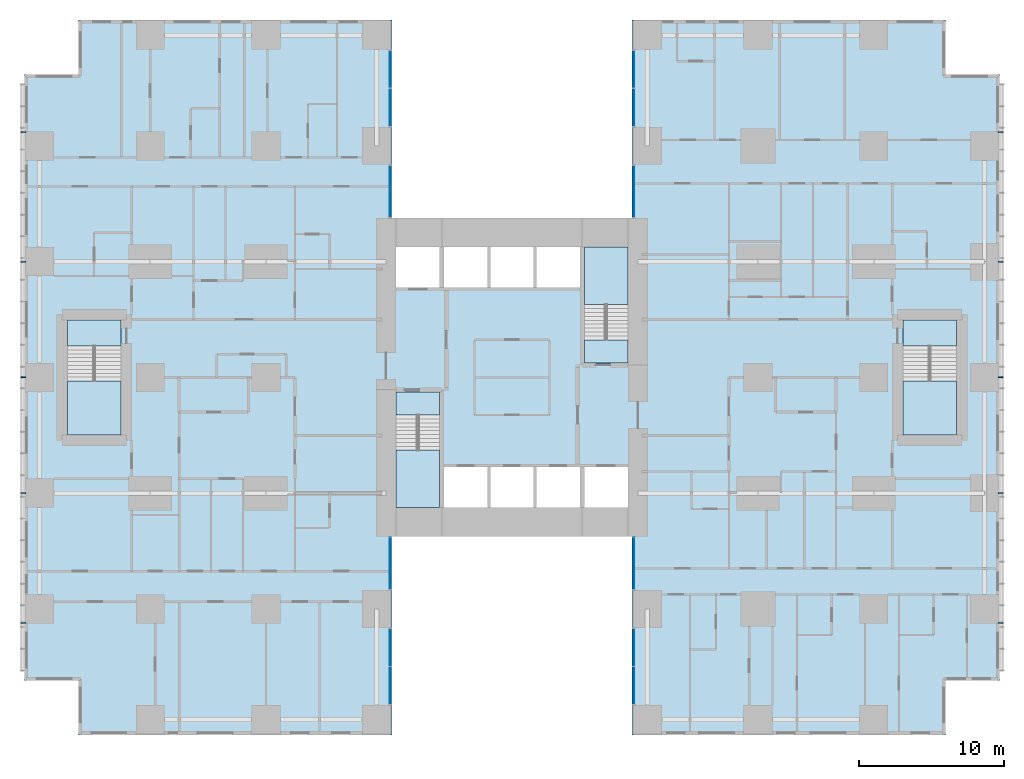
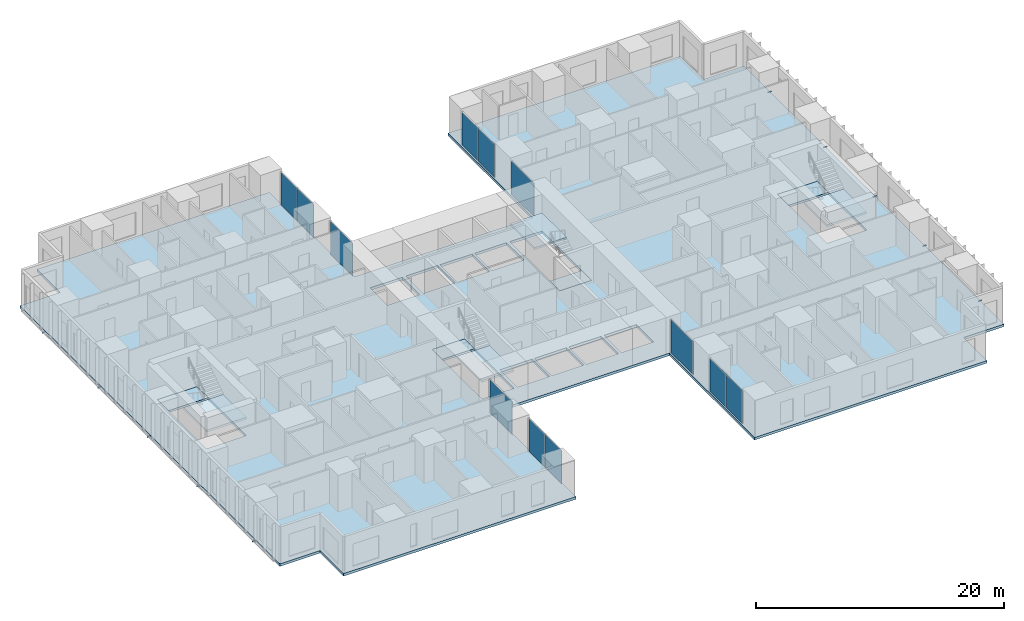
# One storey, part 7 of 21: 12 plates, 10 members, 9 slabs, 12 elements without a shape of their own.
"""IFC4 building model written with IfcOpenShell, lengths in metres."""

from ifc_helpers import new_model, si_unit, direction, frame, origin, origin_2d, place, context, subcontext, project, spatial, polyline, rectangle, hollow_rectangle, outline, extrude, material, layer, layer_set, material_profile, profile_set, type_object, element, aggregate, save


model = new_model("IFC4")

# Units and contexts
model_context = context("Model", 3, precision=1e-05, world=origin(), true_north=direction((0.0, 1.0)))
body_context = subcontext(model_context, "Body", "Model", "MODEL_VIEW")
ifc_project = project(units=[si_unit("LENGTHUNIT", "METRE"), si_unit("AREAUNIT", "SQUARE_METRE"), si_unit("VOLUMEUNIT", "CUBIC_METRE"), si_unit("PLANEANGLEUNIT", "RADIAN"), si_unit("MASSUNIT", "GRAM", prefix="KILO")], contexts=[model_context])

# Site, building, storey
site_placement = place(None, origin())
site = spatial("IfcSite", under=ifc_project, at=site_placement, CompositionType="ELEMENT")
building_placement = place(site_placement, origin())
building = spatial("IfcBuilding", under=site, at=building_placement, Name="Cleftline Residences", CompositionType="ELEMENT")
storey_placement = place(building_placement, frame((0.0, 0.0, 128.60009765625)))
storey = spatial("IfcBuildingStorey", under=building, at=storey_placement, Name="L33", CompositionType="ELEMENT", Elevation=128.60009765625)

# Members
ifc_material_1 = material(Name="Steel S355, hot-dip galvanised", Category="steel")
ifc_material_profile = material_profile(ifc_material_1, hollow_rectangle(XDim=0.10009765625, YDim=0.10009765625, WallThickness=0.008056640625, InnerFilletRadius=0.008056640625, OuterFilletRadius=0.011962890625, at=origin_2d()))
ifc_profile_set = profile_set([ifc_material_profile], Name="Steel S355, hot-dip galvanised")
member_type = type_object("IfcMemberType", Name="BAGUETTE BRACKET SHS 100X100X8", PredefinedType="USERDEFINED", material=ifc_profile_set)
for number, where, z_axis, x_axis, name in (
    (1, (66.60009765625, 7.050048828125, -0.150146484375), (1.0, 0.0, 0.0), (0.0, 1.0, 0.0), "Baguette bracket"),
    (2, (66.60009765625, 16.0, -0.150146484375), (1.0, 0.0, 0.0), (0.0, 1.0, 0.0), "Baguette bracket"),
    (3, (66.60009765625, 24.0, -0.150146484375), (1.0, 0.0, 0.0), (0.0, 1.0, 0.0), "Baguette bracket"),
    (4, (66.60009765625, 32.0, -0.150146484375), (1.0, 0.0, 0.0), (0.0, 1.0, 0.0), "Baguette bracket"),
    (5, (66.60009765625, 40.949951171875, -0.150146484375), (1.0, 0.0, 0.0), (0.0, 1.0, 0.0), "Baguette bracket"),
    (6, (-0.60009765625, 40.949951171875, -0.150146484375), (-1.0, 0.0, 0.0), (0.0, -1.0, 0.0), "Baguette bracket"),
    (7, (-0.60009765625, 32.0, -0.150146484375), (-1.0, 0.0, 0.0), (0.0, -1.0, 0.0), "Baguette bracket"),
    (8, (-0.60009765625, 24.0, -0.150146484375), (-1.0, 0.0, 0.0), (0.0, -1.0, 0.0), "Baguette bracket"),
    (9, (-0.60009765625, 16.0, -0.150146484375), (-1.0, 0.0, 0.0), (0.0, -1.0, 0.0), "Baguette bracket"),
    (10, (-0.60009765625, 7.050048828125, -0.150146484375), (-1.0, 0.0, 0.0), (0.0, -1.0, 0.0), "Baguette bracket"),
):
    element("IfcMember", number, at=place(storey_placement, frame(where, z_axis=z_axis, x_axis=x_axis)), inside=storey, type_object=member_type, Name=name, ObjectType="BAGUETTE BRACKET", PredefinedType="USERDEFINED", context=body_context, shape_type="SweptSolid", body=[
        extrude(hollow_rectangle(XDim=0.10009765625, YDim=0.10009765625, WallThickness=0.008056640625, InnerFilletRadius=0.008056640625, OuterFilletRadius=0.011962890625, at=origin_2d()), origin(), (0.0, 0.0, 1.0), 0.349853515625),
    ])

# Curtain wall, plate
ifc_material_2 = material(Name="Aluminium framed curtain wall", Category="aluminium")
ifc_layer_1 = layer(ifc_material_2, 0.199951171875)
ifc_layer_set_1 = layer_set([ifc_layer_1], Name="CW1 CLEFT GLAZING")
curtain_wall_type = type_object("IfcCurtainWallType", Name="CW1 CLEFT GLAZING", PredefinedType="NOTDEFINED", material=ifc_layer_set_1)
curtain_wall_1_placement = place(storey_placement, origin())
curtain_wall_1 = element("IfcCurtainWall", 11, at=curtain_wall_1_placement, inside=storey, type_object=curtain_wall_type, Name="Curtain wall CW1", PredefinedType="NOTDEFINED")
ifc_material_3 = material(Name="Laminated clear glass", Category="glass")
ifc_layer_2 = layer(ifc_material_3, 0.028076171875)
ifc_layer_set_2 = layer_set([ifc_layer_2], Name="CW1 GLASS PANEL")
plate_type_1 = type_object("IfcPlateType", Name="CW1 GLASS PANEL", PredefinedType="CURTAIN_PANEL", material=ifc_layer_set_2)
plate_1_placement = place(storey_placement, frame((24.574951171875, 5.347412109375, 0.059814453125), z_axis=(0.0, 0.0, 1.0), x_axis=(0.0, 1.0, 0.0)))
plate_1 = element("IfcPlate", 12, at=plate_1_placement, type_object=plate_type_1, Name="CW1 panel 2.1", PredefinedType="CURTAIN_PANEL", context=body_context, shape_type="SweptSolid", body=[
    extrude(rectangle(XDim=2.5849609375, YDim=0.028076171875, at=origin_2d()), origin(), (0.0, 0.0, 1.0), 3.22998046875),
])

curtain_wall_2_placement = place(storey_placement, origin())
curtain_wall_2 = element("IfcCurtainWall", 13, at=curtain_wall_2_placement, inside=storey, type_object=curtain_wall_type, Name="Curtain wall CW1", PredefinedType="NOTDEFINED")
plate_2_placement = place(storey_placement, frame((41.425048828125, 5.347412109375, 0.059814453125), z_axis=(0.0, 0.0, 1.0), x_axis=(0.0, -1.0, 0.0)))
plate_2 = element("IfcPlate", 14, at=plate_2_placement, type_object=plate_type_1, Name="CW1 panel 1.1", PredefinedType="CURTAIN_PANEL", context=body_context, shape_type="SweptSolid", body=[
    extrude(rectangle(XDim=2.5849609375, YDim=0.028076171875, at=origin_2d()), origin(), (0.0, 0.0, 1.0), 3.22998046875),
])

curtain_wall_3_placement = place(storey_placement, origin())
curtain_wall_3 = element("IfcCurtainWall", 15, at=curtain_wall_3_placement, inside=storey, type_object=curtain_wall_type, Name="Curtain wall CW1", PredefinedType="NOTDEFINED")
plate_3_placement = place(storey_placement, frame((41.425048828125, 45.297607421875, 0.059814453125), z_axis=(0.0, 0.0, 1.0), x_axis=(0.0, -1.0, 0.0)))
plate_3 = element("IfcPlate", 16, at=plate_3_placement, type_object=plate_type_1, Name="CW1 panel 1.1", PredefinedType="CURTAIN_PANEL", context=body_context, shape_type="SweptSolid", body=[
    extrude(rectangle(XDim=2.5849609375, YDim=0.028076171875, at=origin_2d()), origin(), (0.0, 0.0, 1.0), 3.22998046875),
])

curtain_wall_4_placement = place(storey_placement, origin())
curtain_wall_4 = element("IfcCurtainWall", 17, at=curtain_wall_4_placement, inside=storey, type_object=curtain_wall_type, Name="Curtain wall CW1", PredefinedType="NOTDEFINED")
plate_4_placement = place(storey_placement, frame((24.574951171875, 45.297607421875, 0.059814453125), z_axis=(0.0, 0.0, 1.0), x_axis=(0.0, 1.0, 0.0)))
plate_4 = element("IfcPlate", 18, at=plate_4_placement, type_object=plate_type_1, Name="CW1 panel 2.1", PredefinedType="CURTAIN_PANEL", context=body_context, shape_type="SweptSolid", body=[
    extrude(rectangle(XDim=2.5849609375, YDim=0.028076171875, at=origin_2d()), origin(), (0.0, 0.0, 1.0), 3.22998046875),
])

# Plate
ifc_material_4 = material(Name="Insulated aluminium panel", Category="aluminium")
ifc_layer_3 = layer(ifc_material_4, 0.028076171875)
ifc_layer_set_3 = layer_set([ifc_layer_3], Name="CW1 INSULATED PANEL")
plate_type_2 = type_object("IfcPlateType", Name="CW1 INSULATED PANEL", PredefinedType="USERDEFINED", material=ifc_layer_set_3)
plate_5_placement = place(storey_placement, frame((24.574951171875, 2.702392578125, 0.059814453125), z_axis=(0.0, 0.0, 1.0), x_axis=(0.0, 1.0, 0.0)))
plate_5 = element("IfcPlate", 19, at=plate_5_placement, type_object=plate_type_2, Name="CW1 panel 1.1", ObjectType="INSULATED PANEL", PredefinedType="USERDEFINED", context=body_context, shape_type="SweptSolid", body=[
    extrude(rectangle(XDim=2.5849609375, YDim=0.028076171875, at=origin_2d()), origin(), (0.0, 0.0, 1.0), 3.22998046875),
])

aggregate(curtain_wall_1, [plate_5, plate_1])

# Curtain wall, plate
curtain_wall_5_placement = place(storey_placement, origin())
curtain_wall_5 = element("IfcCurtainWall", 20, at=curtain_wall_5_placement, inside=storey, type_object=curtain_wall_type, Name="Curtain wall CW1", PredefinedType="NOTDEFINED")
plate_6_placement = place(storey_placement, frame((24.574951171875, 11.14990234375, 0.059814453125), z_axis=(0.0, 0.0, 1.0), x_axis=(0.0, 1.0, 0.0)))
plate_6 = element("IfcPlate", 21, at=plate_6_placement, type_object=plate_type_2, Name="CW1 panel 1.1", ObjectType="INSULATED PANEL", PredefinedType="USERDEFINED", context=body_context, shape_type="SweptSolid", body=[
    extrude(rectangle(XDim=3.580078125, YDim=0.028076171875, at=origin_2d()), origin(), (0.0, 0.0, 1.0), 3.22998046875),
])
aggregate(curtain_wall_5, [plate_6])

curtain_wall_6_placement = place(storey_placement, origin())
curtain_wall_6 = element("IfcCurtainWall", 22, at=curtain_wall_6_placement, inside=storey, type_object=curtain_wall_type, Name="Curtain wall CW1", PredefinedType="NOTDEFINED")
plate_7_placement = place(storey_placement, frame((41.425048828125, 11.14990234375, 0.059814453125), z_axis=(0.0, 0.0, 1.0), x_axis=(0.0, -1.0, 0.0)))
plate_7 = element("IfcPlate", 23, at=plate_7_placement, type_object=plate_type_2, Name="CW1 panel 1.1", ObjectType="INSULATED PANEL", PredefinedType="USERDEFINED", context=body_context, shape_type="SweptSolid", body=[
    extrude(rectangle(XDim=3.580078125, YDim=0.028076171875, at=origin_2d()), origin(), (0.0, 0.0, 1.0), 3.22998046875),
])
aggregate(curtain_wall_6, [plate_7])

# Plate
plate_8_placement = place(storey_placement, frame((41.425048828125, 2.702392578125, 0.059814453125), z_axis=(0.0, 0.0, 1.0), x_axis=(0.0, -1.0, 0.0)))
plate_8 = element("IfcPlate", 24, at=plate_8_placement, type_object=plate_type_2, Name="CW1 panel 2.1", ObjectType="INSULATED PANEL", PredefinedType="USERDEFINED", context=body_context, shape_type="SweptSolid", body=[
    extrude(rectangle(XDim=2.5849609375, YDim=0.028076171875, at=origin_2d()), origin(), (0.0, 0.0, 1.0), 3.22998046875),
])

aggregate(curtain_wall_2, [plate_2, plate_8])

plate_9_placement = place(storey_placement, frame((41.425048828125, 42.652587890625, 0.059814453125), z_axis=(0.0, 0.0, 1.0), x_axis=(0.0, -1.0, 0.0)))
plate_9 = element("IfcPlate", 25, at=plate_9_placement, type_object=plate_type_2, Name="CW1 panel 2.1", ObjectType="INSULATED PANEL", PredefinedType="USERDEFINED", context=body_context, shape_type="SweptSolid", body=[
    extrude(rectangle(XDim=2.5849609375, YDim=0.028076171875, at=origin_2d()), origin(), (0.0, 0.0, 1.0), 3.22998046875),
])

aggregate(curtain_wall_3, [plate_3, plate_9])

# Curtain wall, plate
curtain_wall_7_placement = place(storey_placement, origin())
curtain_wall_7 = element("IfcCurtainWall", 26, at=curtain_wall_7_placement, inside=storey, type_object=curtain_wall_type, Name="Curtain wall CW1", PredefinedType="NOTDEFINED")
plate_10_placement = place(storey_placement, frame((41.425048828125, 36.85009765625, 0.059814453125), z_axis=(0.0, 0.0, 1.0), x_axis=(0.0, -1.0, 0.0)))
plate_10 = element("IfcPlate", 27, at=plate_10_placement, type_object=plate_type_2, Name="CW1 panel 1.1", ObjectType="INSULATED PANEL", PredefinedType="USERDEFINED", context=body_context, shape_type="SweptSolid", body=[
    extrude(rectangle(XDim=3.580078125, YDim=0.028076171875, at=origin_2d()), origin(), (0.0, 0.0, 1.0), 3.22998046875),
])
aggregate(curtain_wall_7, [plate_10])

curtain_wall_8_placement = place(storey_placement, origin())
curtain_wall_8 = element("IfcCurtainWall", 28, at=curtain_wall_8_placement, inside=storey, type_object=curtain_wall_type, Name="Curtain wall CW1", PredefinedType="NOTDEFINED")
plate_11_placement = place(storey_placement, frame((24.574951171875, 36.85009765625, 0.059814453125), z_axis=(0.0, 0.0, 1.0), x_axis=(0.0, 1.0, 0.0)))
plate_11 = element("IfcPlate", 29, at=plate_11_placement, type_object=plate_type_2, Name="CW1 panel 1.1", ObjectType="INSULATED PANEL", PredefinedType="USERDEFINED", context=body_context, shape_type="SweptSolid", body=[
    extrude(rectangle(XDim=3.580078125, YDim=0.028076171875, at=origin_2d()), origin(), (0.0, 0.0, 1.0), 3.22998046875),
])
aggregate(curtain_wall_8, [plate_11])

# Plate
plate_12_placement = place(storey_placement, frame((24.574951171875, 42.652587890625, 0.059814453125), z_axis=(0.0, 0.0, 1.0), x_axis=(0.0, 1.0, 0.0)))
plate_12 = element("IfcPlate", 30, at=plate_12_placement, type_object=plate_type_2, Name="CW1 panel 1.1", ObjectType="INSULATED PANEL", PredefinedType="USERDEFINED", context=body_context, shape_type="SweptSolid", body=[
    extrude(rectangle(XDim=2.5849609375, YDim=0.028076171875, at=origin_2d()), origin(), (0.0, 0.0, 1.0), 3.22998046875),
])

aggregate(curtain_wall_4, [plate_12, plate_4])

# Slab
ifc_material_5 = material(Name="Concrete B45", Category="concrete")
ifc_layer_4 = layer(ifc_material_5, 0.25)
ifc_layer_set_4 = layer_set([ifc_layer_4], Name="FLOOR SLAB 250")
slab_type_1 = type_object("IfcSlabType", Name="FLOOR SLAB 250", PredefinedType="FLOOR", material=ifc_layer_set_4)
slab_1_placement = place(storey_placement, frame((0.0, 0.0, -0.25)))
element("IfcSlab", 31, at=slab_1_placement, inside=storey, type_object=slab_type_1, Name="Floor slab L33", PredefinedType="FLOOR", context=body_context, shape_type="SweptSolid", body=[
    extrude(outline(polyline([(24.699951171875, 13.0), (41.300048828125, 13.0), (41.300048828125, -0.699951171875), (62.949951171875, -0.699951171875), (62.949951171875, 3.050048828125), (66.699951171875, 3.050048828125), (66.699951171875, 44.949951171875), (62.949951171875, 44.949951171875), (62.949951171875, 48.699951171875), (41.300048828125, 48.699951171875), (41.300048828125, 35.0), (24.699951171875, 35.0), (24.699951171875, 48.699951171875), (3.050048828125, 48.699951171875), (3.050048828125, 44.949951171875), (-0.699951171875, 44.949951171875), (-0.699951171875, 3.050048828125), (3.050048828125, 3.050048828125), (3.050048828125, -0.699951171875), (24.699951171875, -0.699951171875), (24.699951171875, 13.0)]), holes=[polyline([(28.0, 15.0), (28.0, 23.0), (25.0, 23.0), (25.0, 15.0), (28.0, 15.0)]), polyline([(41.0, 25.0), (41.0, 33.0), (38.0, 33.0), (38.0, 25.0), (41.0, 25.0)]), polyline([(28.0, 30.199951171875), (28.0, 33.0), (25.0, 33.0), (25.0, 30.199951171875), (28.0, 30.199951171875)]), polyline([(41.0, 15.0), (41.0, 17.800048828125), (38.0, 17.800048828125), (38.0, 15.0), (41.0, 15.0)]), polyline([(31.300048828125, 15.0), (31.300048828125, 17.800048828125), (28.300048828125, 17.800048828125), (28.300048828125, 15.0), (31.300048828125, 15.0)]), polyline([(34.5, 15.0), (34.5, 17.800048828125), (31.5, 17.800048828125), (31.5, 15.0), (34.5, 15.0)]), polyline([(37.699951171875, 15.0), (37.699951171875, 17.800048828125), (34.699951171875, 17.800048828125), (34.699951171875, 15.0), (37.699951171875, 15.0)]), polyline([(31.300048828125, 30.199951171875), (31.300048828125, 33.0), (28.300048828125, 33.0), (28.300048828125, 30.199951171875), (31.300048828125, 30.199951171875)]), polyline([(34.5, 30.199951171875), (34.5, 33.0), (31.5, 33.0), (31.5, 30.199951171875), (34.5, 30.199951171875)]), polyline([(37.699951171875, 30.199951171875), (37.699951171875, 33.0), (34.699951171875, 33.0), (34.699951171875, 30.199951171875), (37.699951171875, 30.199951171875)]), polyline([(63.72509765625, 20.02490234375), (63.72509765625, 27.97509765625), (60.02490234375, 27.97509765625), (60.02490234375, 20.02490234375), (63.72509765625, 20.02490234375)]), polyline([(5.97509765625, 20.02490234375), (5.97509765625, 27.97509765625), (2.27490234375, 27.97509765625), (2.27490234375, 20.02490234375), (5.97509765625, 20.02490234375)])]), origin(), (0.0, 0.0, 1.0), 0.25),
])

# Stair, slabs
ifc_material_6 = material(Name="Concrete B45, stone treads", Category="masonry")
stair_type_1 = type_object("IfcStairType", Name="STAIR A 1450 WIDE 180 RISER", PredefinedType="HALF_TURN_STAIR", material=ifc_material_6)
stair_1_placement = place(storey_placement, origin())
stair_1 = element("IfcStair", 32, at=stair_1_placement, inside=storey, type_object=stair_type_1, Name="Stair A L33", PredefinedType="HALF_TURN_STAIR")
ifc_material_7 = material(Name="Concrete B45", Category="concrete")
ifc_layer_5 = layer(ifc_material_7, 0.199951171875)
ifc_layer_set_5 = layer_set([ifc_layer_5], Name="STAIR LANDING 200")
slab_type_2 = type_object("IfcSlabType", Name="STAIR LANDING 200", PredefinedType="LANDING", material=ifc_layer_set_5)
slab_2_placement = place(storey_placement, frame((0.0, 0.0, -0.2001953125)))
slab_2 = element("IfcSlab", 33, at=slab_2_placement, type_object=slab_type_2, Name="ST-A landing 1", PredefinedType="LANDING", context=body_context, shape_type="SweptSolid", body=[
    extrude(outline(polyline([(25.0, 21.39990234375), (28.0, 21.39990234375), (28.0, 23.0), (25.0, 23.0), (25.0, 21.39990234375)])), origin(), (0.0, 0.0, 1.0), 0.2001953125),
])
slab_3_placement = place(storey_placement, frame((0.0, 0.0, 1.599853515625)))
slab_3 = element("IfcSlab", 34, at=slab_3_placement, type_object=slab_type_2, Name="ST-A landing 2", PredefinedType="LANDING", context=body_context, shape_type="SweptSolid", body=[
    extrude(outline(polyline([(25.0, 15.0), (28.0, 15.0), (28.0, 18.969970703125), (25.0, 18.969970703125), (25.0, 15.0)])), origin(), (0.0, 0.0, 1.0), 0.199951171875),
])
aggregate(stair_1, [slab_2, slab_3])

ifc_material_8 = material(Name="Concrete B45, stone treads", Category="masonry")
stair_type_2 = type_object("IfcStairType", Name="STAIR B 1450 WIDE 180 RISER", PredefinedType="HALF_TURN_STAIR", material=ifc_material_8)
stair_2_placement = place(storey_placement, origin())
stair_2 = element("IfcStair", 35, at=stair_2_placement, inside=storey, type_object=stair_type_2, Name="Stair B L33", PredefinedType="HALF_TURN_STAIR")
slab_4_placement = place(storey_placement, frame((0.0, 0.0, -0.2001953125)))
slab_4 = element("IfcSlab", 36, at=slab_4_placement, type_object=slab_type_2, Name="ST-B landing 1", PredefinedType="LANDING", context=body_context, shape_type="SweptSolid", body=[
    extrude(outline(polyline([(38.0, 25.0), (41.0, 25.0), (41.0, 26.60009765625), (38.0, 26.60009765625), (38.0, 25.0)])), origin(), (0.0, 0.0, 1.0), 0.2001953125),
])
slab_5_placement = place(storey_placement, frame((0.0, 0.0, 1.599853515625)))
slab_5 = element("IfcSlab", 37, at=slab_5_placement, type_object=slab_type_2, Name="ST-B landing 2", PredefinedType="LANDING", context=body_context, shape_type="SweptSolid", body=[
    extrude(outline(polyline([(38.0, 29.030029296875), (41.0, 29.030029296875), (41.0, 33.0), (38.0, 33.0), (38.0, 29.030029296875)])), origin(), (0.0, 0.0, 1.0), 0.199951171875),
])
aggregate(stair_2, [slab_4, slab_5])

ifc_material_9 = material(Name="Concrete B45, stone treads", Category="masonry")
stair_type_3 = type_object("IfcStairType", Name="STAIR E 1800 WIDE 180 RISER", PredefinedType="HALF_TURN_STAIR", material=ifc_material_9)
stair_3_placement = place(storey_placement, origin())
stair_3 = element("IfcStair", 38, at=stair_3_placement, inside=storey, type_object=stair_type_3, Name="Stair E L33", PredefinedType="HALF_TURN_STAIR")
slab_6_placement = place(storey_placement, frame((0.0, 0.0, -0.2001953125)))
slab_6 = element("IfcSlab", 39, at=slab_6_placement, type_object=slab_type_2, Name="ST-E landing 1", PredefinedType="LANDING", context=body_context, shape_type="SweptSolid", body=[
    extrude(outline(polyline([(60.02490234375, 26.175048828125), (63.72509765625, 26.175048828125), (63.72509765625, 27.97509765625), (60.02490234375, 27.97509765625), (60.02490234375, 26.175048828125)])), origin(), (0.0, 0.0, 1.0), 0.2001953125),
])
slab_7_placement = place(storey_placement, frame((0.0, 0.0, 1.599853515625)))
slab_7 = element("IfcSlab", 40, at=slab_7_placement, type_object=slab_type_2, Name="ST-E landing 2", PredefinedType="LANDING", context=body_context, shape_type="SweptSolid", body=[
    extrude(outline(polyline([(60.02490234375, 20.02490234375), (63.72509765625, 20.02490234375), (63.72509765625, 23.7451171875), (60.02490234375, 23.7451171875), (60.02490234375, 20.02490234375)])), origin(), (0.0, 0.0, 1.0), 0.199951171875),
])
aggregate(stair_3, [slab_6, slab_7])

ifc_material_10 = material(Name="Concrete B45, stone treads", Category="masonry")
stair_type_4 = type_object("IfcStairType", Name="STAIR W 1800 WIDE 180 RISER", PredefinedType="HALF_TURN_STAIR", material=ifc_material_10)
stair_4_placement = place(storey_placement, origin())
stair_4 = element("IfcStair", 41, at=stair_4_placement, inside=storey, type_object=stair_type_4, Name="Stair W L33", PredefinedType="HALF_TURN_STAIR")
slab_8_placement = place(storey_placement, frame((0.0, 0.0, -0.2001953125)))
slab_8 = element("IfcSlab", 42, at=slab_8_placement, type_object=slab_type_2, Name="ST-W landing 1", PredefinedType="LANDING", context=body_context, shape_type="SweptSolid", body=[
    extrude(outline(polyline([(2.27490234375, 26.175048828125), (5.97509765625, 26.175048828125), (5.97509765625, 27.97509765625), (2.27490234375, 27.97509765625), (2.27490234375, 26.175048828125)])), origin(), (0.0, 0.0, 1.0), 0.2001953125),
])
slab_9_placement = place(storey_placement, frame((0.0, 0.0, 1.599853515625)))
slab_9 = element("IfcSlab", 43, at=slab_9_placement, type_object=slab_type_2, Name="ST-W landing 2", PredefinedType="LANDING", context=body_context, shape_type="SweptSolid", body=[
    extrude(outline(polyline([(2.27490234375, 20.02490234375), (5.97509765625, 20.02490234375), (5.97509765625, 23.7451171875), (2.27490234375, 23.7451171875), (2.27490234375, 20.02490234375)])), origin(), (0.0, 0.0, 1.0), 0.199951171875),
])
aggregate(stair_4, [slab_8, slab_9])

save(model, "model.ifc")
